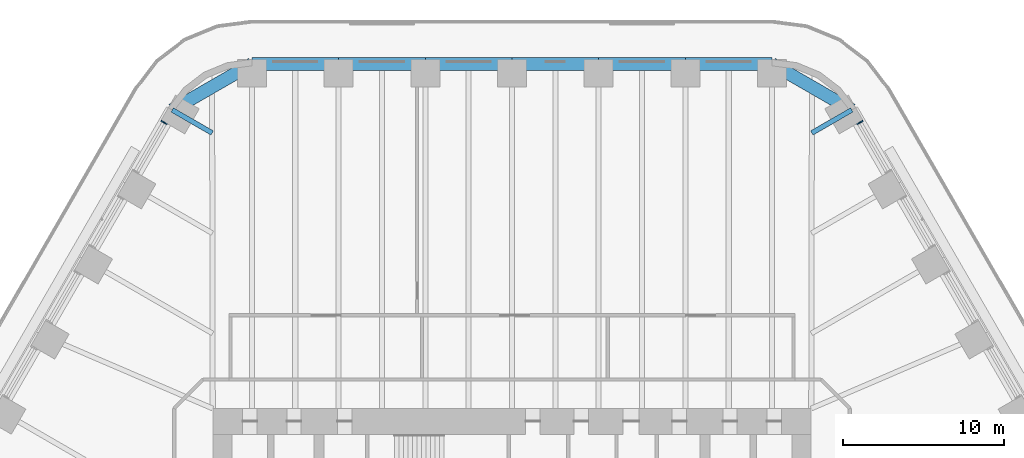
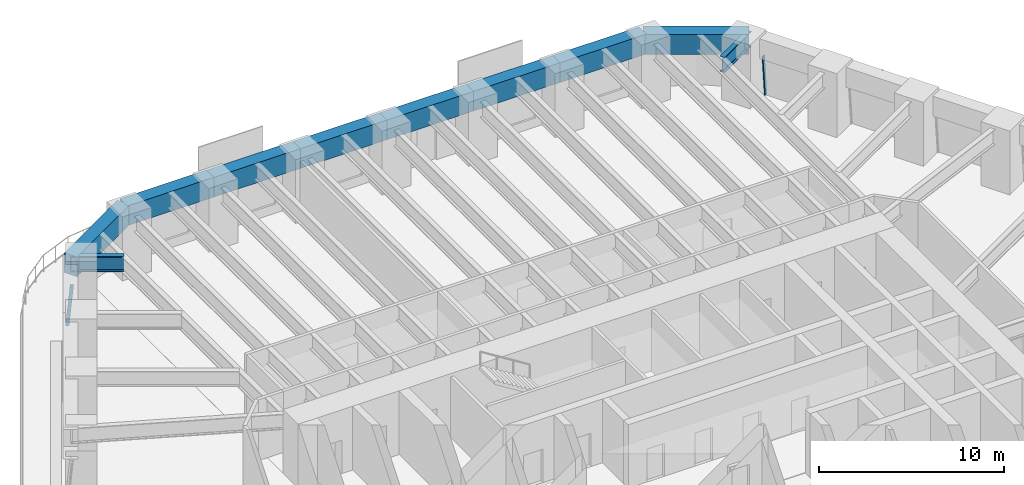
# One storey, part 14 of 23: 10 beams, 2 members, 2 elements without a shape of their own.
"""IFC4 building model written with IfcOpenShell, lengths in metres."""

from ifc_helpers import new_model, si_unit, direction, frame, origin, origin_2d, place, context, subcontext, project, spatial, rectangle, i_section, extrude, material, material_profile, profile_set, type_object, element, aggregate, save


model = new_model("IFC4")

# Units and contexts
model_context = context("Model", 3, precision=1e-05, world=origin(), true_north=direction((0.0, 1.0)))
body_context = subcontext(model_context, "Body", "Model", "MODEL_VIEW")
ifc_project = project(units=[si_unit("LENGTHUNIT", "METRE"), si_unit("AREAUNIT", "SQUARE_METRE"), si_unit("VOLUMEUNIT", "CUBIC_METRE"), si_unit("PLANEANGLEUNIT", "RADIAN"), si_unit("MASSUNIT", "GRAM", prefix="KILO")], contexts=[model_context])

# Site, building, storey
site_placement = place(None, origin())
site = spatial("IfcSite", under=ifc_project, at=site_placement, CompositionType="ELEMENT")
building_placement = place(site_placement, origin())
building = spatial("IfcBuilding", under=site, at=building_placement, Name="Tarfa Lantern Tower", CompositionType="ELEMENT")
storey_placement = place(building_placement, frame((0.0, 0.0, 86.5)))
storey = spatial("IfcBuildingStorey", under=building, at=storey_placement, Name="L19", CompositionType="ELEMENT", Elevation=86.5)

# Curtain wall, member
ifc_material_1 = material(Name="Aluminium framed curtain wall", Category="aluminium")
curtain_wall_type = type_object("IfcCurtainWallType", Name="CW1 CANTED GLAZING LOW ZONE 2700", PredefinedType="USERDEFINED", material=ifc_material_1)
curtain_wall_1_placement = place(storey_placement, origin())
curtain_wall_1 = element("IfcCurtainWall", 1, at=curtain_wall_1_placement, inside=storey, type_object=curtain_wall_type, Name="CW1 NE L19", ObjectType="CURTAIN WALL", PredefinedType="USERDEFINED")
ifc_material_2 = material(Name="Aluminium mullion", Category="aluminium")
ifc_material_profile_1 = material_profile(ifc_material_2, rectangle(XDim=0.06494140625, YDim=0.199951171875, at=origin_2d()), Name="AL MULLION 65x200")
ifc_profile_set_1 = profile_set([ifc_material_profile_1], Name="Aluminium mullion")
member_type = type_object("IfcMemberType", Name="CWM1 MULLION 65x200", PredefinedType="MULLION", material=ifc_profile_set_1)
member_1_placement = place(storey_placement, frame((21.74169921875, 30.142333984375, 0.0), z_axis=(-0.07986442134, -0.046099868913, 0.99573916077), x_axis=(0.499919672301, -0.866071776036, 0.0)))
member_1 = element("IfcMember", 2, at=member_1_placement, type_object=member_type, Name="CW1 mullion 2", PredefinedType="MULLION", context=body_context, shape_type="SweptSolid", body=[
    extrude(rectangle(XDim=0.06494140625, YDim=0.199951171875, at=origin_2d()), origin(), (0.0, 0.0, 1.0), 2.71142578125),
])
aggregate(curtain_wall_1, [member_1])

curtain_wall_2_placement = place(storey_placement, origin())
curtain_wall_2 = element("IfcCurtainWall", 3, at=curtain_wall_2_placement, inside=storey, type_object=curtain_wall_type, Name="CW1 NW L19", ObjectType="CURTAIN WALL", PredefinedType="USERDEFINED")
member_2_placement = place(storey_placement, frame((-21.74169921875, 30.142333984375, 0.0), z_axis=(0.07986442134, -0.046099868913, 0.99573916077), x_axis=(0.499919672301, 0.866071776036, 0.0)))
member_2 = element("IfcMember", 4, at=member_2_placement, type_object=member_type, Name="CW1 mullion 1", PredefinedType="MULLION", context=body_context, shape_type="SweptSolid", body=[
    extrude(rectangle(XDim=0.06494140625, YDim=0.199951171875, at=origin_2d()), origin(), (0.0, 0.0, 1.0), 2.71142578125),
])
aggregate(curtain_wall_2, [member_2])

# Beams
ifc_material_3 = material(Name="Concrete C80/95", Category="concrete")
ifc_material_profile_2 = material_profile(ifc_material_3, rectangle(XDim=0.800048828125, YDim=1.300048828125, at=origin_2d()), Name="RC 800x1300")
ifc_profile_set_2 = profile_set([ifc_material_profile_2], Name="Concrete C80/95")
beam_type_1 = type_object("IfcBeamType", Name="EB1 RC 800x1300", PredefinedType="SPANDREL", material=ifc_profile_set_2)
beam_1_placement = place(storey_placement, frame((21.119384765625, 30.860107421875, 3.35009765625), z_axis=(-0.866033479681, 0.499986011877, 0.0), x_axis=(-0.499986011877, -0.866033479681, 0.0)))
element("IfcBeam", 5, at=beam_1_placement, inside=storey, type_object=beam_type_1, Name="Edge beam NE6", PredefinedType="SPANDREL", context=body_context, shape_type="SweptSolid", body=[
    extrude(rectangle(XDim=0.800048828125, YDim=1.300048828125, at=origin_2d()), origin(), (0.0, 0.0, 1.0), 5.719970703125),
])
beam_2_placement = place(storey_placement, frame((16.165771484375, 33.719970703125, 3.35009765625), z_axis=(-1.0, 0.0, 0.0), x_axis=(0.0, -1.0, 0.0)))
element("IfcBeam", 6, at=beam_2_placement, inside=storey, type_object=beam_type_1, Name="Edge beam N0", PredefinedType="SPANDREL", context=body_context, shape_type="SweptSolid", body=[
    extrude(rectangle(XDim=0.800048828125, YDim=1.300048828125, at=origin_2d()), origin(), (0.0, 0.0, 1.0), 5.388671875),
])
beam_3_placement = place(storey_placement, frame((10.777099609375, 33.719970703125, 3.35009765625), z_axis=(-1.0, 0.0, 0.0), x_axis=(0.0, -1.0, 0.0)))
element("IfcBeam", 7, at=beam_3_placement, inside=storey, type_object=beam_type_1, Name="Edge beam N1", PredefinedType="SPANDREL", context=body_context, shape_type="SweptSolid", body=[
    extrude(rectangle(XDim=0.800048828125, YDim=1.300048828125, at=origin_2d()), origin(), (0.0, 0.0, 1.0), 5.388427734375),
])
for number, where, z_axis, x_axis, name in (
    (8, (5.388671875, 33.719970703125, 3.35009765625), (-1.0, 0.0, 0.0), (0.0, -1.0, 0.0), "Edge beam N2"),
    (9, (0.0, 33.719970703125, 3.35009765625), (-1.0, 0.0, 0.0), (0.0, -1.0, 0.0), "Edge beam N3"),
):
    element("IfcBeam", number, at=place(storey_placement, frame(where, z_axis=z_axis, x_axis=x_axis)), inside=storey, type_object=beam_type_1, Name=name, PredefinedType="SPANDREL", context=body_context, shape_type="SweptSolid", body=[
        extrude(rectangle(XDim=0.800048828125, YDim=1.300048828125, at=origin_2d()), origin(), (0.0, 0.0, 1.0), 5.388671875),
    ])
beam_4_placement = place(storey_placement, frame((-5.388671875, 33.719970703125, 3.35009765625), z_axis=(-1.0, 0.0, 0.0), x_axis=(0.0, -1.0, 0.0)))
element("IfcBeam", 10, at=beam_4_placement, inside=storey, type_object=beam_type_1, Name="Edge beam N4", PredefinedType="SPANDREL", context=body_context, shape_type="SweptSolid", body=[
    extrude(rectangle(XDim=0.800048828125, YDim=1.300048828125, at=origin_2d()), origin(), (0.0, 0.0, 1.0), 5.388427734375),
])
beam_5_placement = place(storey_placement, frame((-10.777099609375, 33.719970703125, 3.35009765625), z_axis=(-1.0, 0.0, 0.0), x_axis=(0.0, -1.0, 0.0)))
element("IfcBeam", 11, at=beam_5_placement, inside=storey, type_object=beam_type_1, Name="Edge beam N5", PredefinedType="SPANDREL", context=body_context, shape_type="SweptSolid", body=[
    extrude(rectangle(XDim=0.800048828125, YDim=1.300048828125, at=origin_2d()), origin(), (0.0, 0.0, 1.0), 5.388671875),
])
beam_6_placement = place(storey_placement, frame((-16.165771484375, 33.719970703125, 3.35009765625), z_axis=(-0.866033479681, -0.499986011877, 0.0), x_axis=(0.499986011877, -0.866033479681, 0.0)))
element("IfcBeam", 12, at=beam_6_placement, inside=storey, type_object=beam_type_1, Name="Edge beam N6", PredefinedType="SPANDREL", context=body_context, shape_type="SweptSolid", body=[
    extrude(rectangle(XDim=0.800048828125, YDim=1.300048828125, at=origin_2d()), origin(), (0.0, 0.0, 1.0), 5.719970703125),
])
ifc_material_4 = material(Name="Steel S460M", Category="steel")
ifc_material_profile_3 = material_profile(ifc_material_4, i_section(OverallWidth=0.302001953125, OverallDepth=1.008056640625, WebThickness=0.02099609375, FlangeThickness=0.0400390625, FilletRadius=0.030029296875, at=origin_2d()), Name="UB1016x305x349")
ifc_profile_set_3 = profile_set([ifc_material_profile_3], Name="Steel S460M")
beam_type_2 = type_object("IfcBeamType", Name="UB1016x305x349", PredefinedType="BEAM", material=ifc_profile_set_3)
for number, where, z_axis, x_axis, name in (
    (13, (21.119384765625, 30.860107421875, 3.495849609375), (-0.866012580594, -0.500022209759, 0.0), (0.500022209759, -0.866012580594, 0.0), "Floor beam NE6"),
    (14, (-21.119384765625, 30.860107421875, 3.495849609375), (0.866012580594, -0.500022209759, 0.0), (0.500022209759, 0.866012580594, 0.0), "Floor beam NW0"),
):
    element("IfcBeam", number, at=place(storey_placement, frame(where, z_axis=z_axis, x_axis=x_axis)), inside=storey, type_object=beam_type_2, Name=name, PredefinedType="BEAM", context=body_context, shape_type="SweptSolid", body=[
        extrude(i_section(OverallWidth=0.302001953125, OverallDepth=1.008056640625, WebThickness=0.02099609375, FlangeThickness=0.0400390625, FilletRadius=0.030029296875, at=origin_2d()), origin(), (0.0, 0.0, 1.0), 2.866943359375),
    ])

save(model, "model.ifc")
